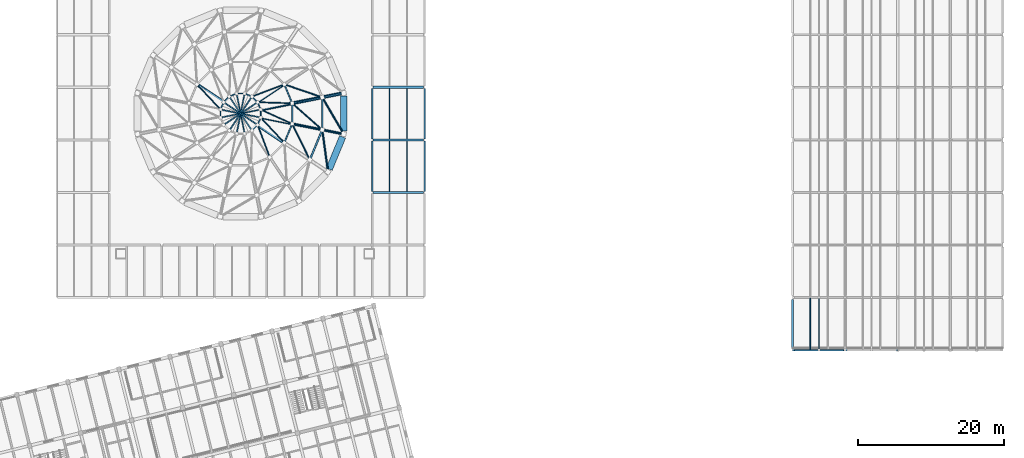
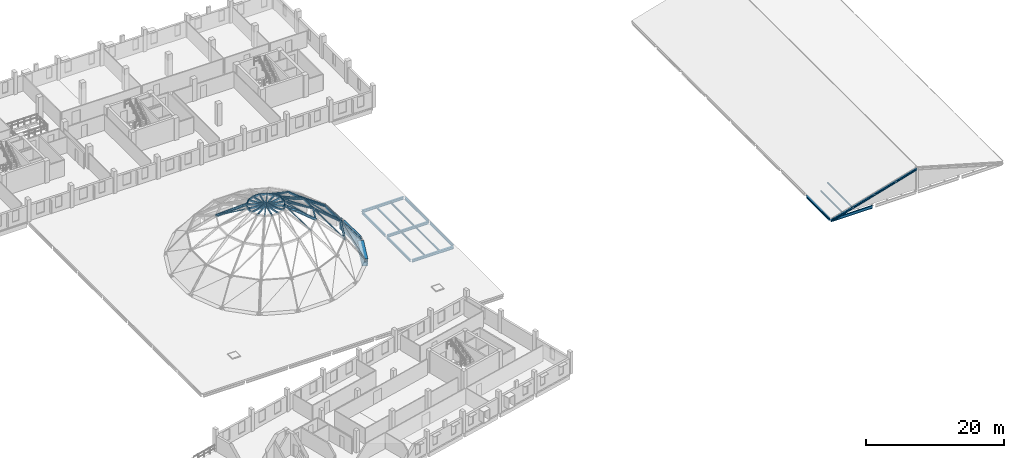
# One storey, part 8 of 32: 40 beams, 22 members.
"""IFC4 building model written with IfcOpenShell, lengths in metres."""

from ifc_helpers import new_model, si_unit, direction, frame, origin, origin_2d, place, context, subcontext, project, spatial, rectangle, hollow_rectangle, hollow_circle, i_section, extrude, material, material_profile, profile_set, type_object, element, save


model = new_model("IFC4")

# Units and contexts
model_context = context("Model", 3, precision=1e-05, world=origin(), true_north=direction((0.0, 1.0)))
body_context = subcontext(model_context, "Body", "Model", "MODEL_VIEW")
ifc_project = project(units=[si_unit("LENGTHUNIT", "METRE"), si_unit("AREAUNIT", "SQUARE_METRE"), si_unit("VOLUMEUNIT", "CUBIC_METRE"), si_unit("PLANEANGLEUNIT", "RADIAN"), si_unit("MASSUNIT", "GRAM", prefix="KILO")], contexts=[model_context])

# Site, building, storey
site_placement = place(None, origin())
site = spatial("IfcSite", under=ifc_project, at=site_placement, CompositionType="ELEMENT")
building_placement = place(site_placement, origin())
building = spatial("IfcBuilding", under=site, at=building_placement, Name="Qiaolan Assembly House", CompositionType="ELEMENT")
storey_placement = place(building_placement, frame((0.0, 0.0, 18.60009765625)))
storey = spatial("IfcBuildingStorey", under=building, at=storey_placement, Name="L04", CompositionType="ELEMENT", Elevation=18.60009765625)

# Beams
ifc_material_1 = material(Name="Steel Q355B", Category="steel")
ifc_material_profile_1 = material_profile(ifc_material_1, hollow_rectangle(XDim=0.179931640625, YDim=0.300048828125, WallThickness=0.010009765625, InnerFilletRadius=0.010009765625, OuterFilletRadius=0.02001953125, at=origin_2d()), Name="RHS 300x180x10")
ifc_profile_set_1 = profile_set([ifc_material_profile_1], Name="Steel Q355B")
beam_type_1 = type_object("IfcBeamType", Name="BM-DOME-RING-RHS300", PredefinedType="BEAM", material=ifc_profile_set_1)
beam_1_placement = place(storey_placement, frame((71.1767578125, 61.67236328125, 9.199951171875), z_axis=(-0.382621493666, 0.923905185928, 0.0), x_axis=(-0.923905185928, -0.382621493666, 0.0)))
element("IfcBeam", 1, at=beam_1_placement, inside=storey, type_object=beam_type_1, Name="DB-03 dome circumferential steel ring T3-1", PredefinedType="BEAM", context=body_context, shape_type="SweptSolid", body=[
    extrude(hollow_rectangle(XDim=0.179931640625, YDim=0.300048828125, WallThickness=0.010009765625, InnerFilletRadius=0.010009765625, OuterFilletRadius=0.02001953125, at=origin_2d()), origin(), (0.0, 0.0, 1.0), 1.25244140625),
])
beam_2_placement = place(storey_placement, frame((70.78466796875, 62.698974609375, 9.199951171875), z_axis=(-0.707106781187, 0.707106781187, 0.0), x_axis=(-0.707106781187, -0.707106781187, 0.0)))
element("IfcBeam", 2, at=beam_2_placement, inside=storey, type_object=beam_type_1, Name="DB-03 dome circumferential steel ring T3-2", PredefinedType="BEAM", context=body_context, shape_type="SweptSolid", body=[
    extrude(hollow_rectangle(XDim=0.179931640625, YDim=0.300048828125, WallThickness=0.010009765625, InnerFilletRadius=0.010009765625, OuterFilletRadius=0.02001953125, at=origin_2d()), origin(), (0.0, 0.0, 1.0), 1.252685546875),
])
beam_3_placement = place(storey_placement, frame((70.029541015625, 63.49755859375, 9.199951171875), z_axis=(-0.923905185928, 0.382621493666, 0.0), x_axis=(-0.382621493666, -0.923905185928, 0.0)))
element("IfcBeam", 3, at=beam_3_placement, inside=storey, type_object=beam_type_1, Name="DB-03 dome circumferential steel ring T3-3", PredefinedType="BEAM", context=body_context, shape_type="SweptSolid", body=[
    extrude(hollow_rectangle(XDim=0.179931640625, YDim=0.300048828125, WallThickness=0.010009765625, InnerFilletRadius=0.010009765625, OuterFilletRadius=0.02001953125, at=origin_2d()), origin(), (0.0, 0.0, 1.0), 1.25244140625),
])
beam_4_placement = place(storey_placement, frame((69.0263671875, 63.9462890625, 9.199951171875), z_axis=(-1.0, 0.0, 0.0), x_axis=(0.0, -1.0, 0.0)))
element("IfcBeam", 4, at=beam_4_placement, inside=storey, type_object=beam_type_1, Name="DB-03 dome circumferential steel ring T3-4", PredefinedType="BEAM", context=body_context, shape_type="SweptSolid", body=[
    extrude(hollow_rectangle(XDim=0.179931640625, YDim=0.300048828125, WallThickness=0.010009765625, InnerFilletRadius=0.010009765625, OuterFilletRadius=0.02001953125, at=origin_2d()), origin(), (0.0, 0.0, 1.0), 1.252685546875),
])
for number, where, z_axis, x_axis, name in (
    (5, (67.927734375, 63.976806640625, 9.199951171875), (-0.923905185928, -0.382621493666, 0.0), (0.382621493666, -0.923905185928, 0.0), "DB-03 dome circumferential steel ring T3-5"),
    (6, (66.90087890625, 63.584716796875, 9.199951171875), (-0.707009309718, -0.707204239221, 0.0), (0.707204239221, -0.707009309718, 0.0), "DB-03 dome circumferential steel ring T3-6"),
    (7, (66.1025390625, 62.82958984375, 9.199951171875), (-0.382621493666, -0.923905185928, 0.0), (0.923905185928, -0.382621493666, 0.0), "DB-03 dome circumferential steel ring T3-7"),
    (8, (65.65380859375, 61.826171875, 9.199951171875), (0.0, -1.0, 0.0), (1.0, 0.0, 0.0), "DB-03 dome circumferential steel ring T3-8"),
    (9, (69.89892578125, 58.8154296875, 9.199951171875), (0.707204239221, 0.707009309718, 0.0), (-0.707009309718, 0.707204239221, 0.0), "DB-03 dome circumferential steel ring T3-14"),
):
    element("IfcBeam", number, at=place(storey_placement, frame(where, z_axis=z_axis, x_axis=x_axis)), inside=storey, type_object=beam_type_1, Name=name, PredefinedType="BEAM", context=body_context, shape_type="SweptSolid", body=[
        extrude(hollow_rectangle(XDim=0.179931640625, YDim=0.300048828125, WallThickness=0.010009765625, InnerFilletRadius=0.010009765625, OuterFilletRadius=0.02001953125, at=origin_2d()), origin(), (0.0, 0.0, 1.0), 1.25244140625),
    ])
beam_5_placement = place(storey_placement, frame((70.697509765625, 59.570556640625, 9.199951171875), z_axis=(0.382690409234, 0.923876642567, 0.0), x_axis=(-0.923876642567, 0.382690409234, 0.0)))
element("IfcBeam", 10, at=beam_5_placement, inside=storey, type_object=beam_type_1, Name="DB-03 dome circumferential steel ring T3-15", PredefinedType="BEAM", context=body_context, shape_type="SweptSolid", body=[
    extrude(hollow_rectangle(XDim=0.179931640625, YDim=0.300048828125, WallThickness=0.010009765625, InnerFilletRadius=0.010009765625, OuterFilletRadius=0.02001953125, at=origin_2d()), origin(), (0.0, 0.0, 1.0), 1.252197265625),
])
beam_6_placement = place(storey_placement, frame((71.146240234375, 60.57373046875, 9.199951171875), z_axis=(0.0, 1.0, 0.0), x_axis=(-1.0, 0.0, 0.0)))
element("IfcBeam", 11, at=beam_6_placement, inside=storey, type_object=beam_type_1, Name="DB-03 dome circumferential steel ring T3-16", PredefinedType="BEAM", context=body_context, shape_type="SweptSolid", body=[
    extrude(hollow_rectangle(XDim=0.179931640625, YDim=0.300048828125, WallThickness=0.010009765625, InnerFilletRadius=0.010009765625, OuterFilletRadius=0.02001953125, at=origin_2d()), origin(), (0.0, 0.0, 1.0), 1.25244140625),
])
beam_7_placement = place(storey_placement, frame((71.224609375, 61.761962890625, 9.199951171875), z_axis=(-0.980782305984, -0.195105274837, 0.0), x_axis=(0.195105274837, -0.980782305984, 0.0)))
element("IfcBeam", 12, at=beam_7_placement, inside=storey, type_object=beam_type_1, Name="DB-03 dome oculus crown compression tie 1", PredefinedType="BEAM", context=body_context, shape_type="SweptSolid", body=[
    extrude(hollow_rectangle(XDim=0.179931640625, YDim=0.300048828125, WallThickness=0.010009765625, InnerFilletRadius=0.010009765625, OuterFilletRadius=0.02001953125, at=origin_2d()), origin(), (0.0, 0.0, 1.0), 5.759765625),
])
for number, where, z_axis, x_axis, name in (
    (13, (70.794677734375, 62.800048828125, 9.199951171875), (-0.831462961962, -0.555580185829, 0.0), (0.555580185829, -0.831462961962, 0.0), "DB-03 dome oculus crown compression tie 2"),
    (14, (70.0, 63.5947265625, 9.199951171875), (-0.55555088287, -0.831482541334, 0.0), (0.831482541334, -0.55555088287, 0.0), "DB-03 dome oculus crown compression tie 3"),
    (15, (68.9619140625, 64.024658203125, 9.199951171875), (-0.195097164255, -0.980783919372, 0.0), (0.980783919372, -0.195097164255, 0.0), "DB-03 dome oculus crown compression tie 4"),
    (16, (67.838134765625, 64.024658203125, 9.199951171875), (0.195097164255, -0.980783919372, 0.0), (0.980783919372, 0.195097164255, 0.0), "DB-03 dome oculus crown compression tie 5"),
    (17, (66.800048828125, 63.5947265625, 9.199951171875), (0.55555088287, -0.831482541334, 0.0), (0.831482541334, 0.55555088287, 0.0), "DB-03 dome oculus crown compression tie 6"),
    (18, (66.00537109375, 62.800048828125, 9.199951171875), (0.831462961962, -0.555580185829, 0.0), (0.555580185829, 0.831462961962, 0.0), "DB-03 dome oculus crown compression tie 7"),
):
    element("IfcBeam", number, at=place(storey_placement, frame(where, z_axis=z_axis, x_axis=x_axis)), inside=storey, type_object=beam_type_1, Name=name, PredefinedType="BEAM", context=body_context, shape_type="SweptSolid", body=[
        extrude(hollow_rectangle(XDim=0.179931640625, YDim=0.300048828125, WallThickness=0.010009765625, InnerFilletRadius=0.010009765625, OuterFilletRadius=0.02001953125, at=origin_2d()), origin(), (0.0, 0.0, 1.0), 5.760009765625),
    ])
beam_8_placement = place(storey_placement, frame((65.575439453125, 61.761962890625, 9.199951171875), z_axis=(0.980782305984, -0.195105274837, 0.0), x_axis=(0.195105274837, 0.980782305984, 0.0)))
element("IfcBeam", 19, at=beam_8_placement, inside=storey, type_object=beam_type_1, Name="DB-03 dome oculus crown compression tie 8", PredefinedType="BEAM", context=body_context, shape_type="SweptSolid", body=[
    extrude(hollow_rectangle(XDim=0.179931640625, YDim=0.300048828125, WallThickness=0.010009765625, InnerFilletRadius=0.010009765625, OuterFilletRadius=0.02001953125, at=origin_2d()), origin(), (0.0, 0.0, 1.0), 5.759765625),
])
ifc_material_profile_2 = material_profile(ifc_material_1, hollow_rectangle(XDim=0.199951171875, YDim=0.35009765625, WallThickness=0.010009765625, InnerFilletRadius=0.010009765625, OuterFilletRadius=0.02001953125, at=origin_2d()), Name="RHS 350x200x10")
ifc_profile_set_2 = profile_set([ifc_material_profile_2], Name="Steel Q355B")
beam_type_2 = type_object("IfcBeamType", Name="BM-DOME-RING-RHS350", PredefinedType="BEAM", material=ifc_profile_set_2)
for number, where, z_axis, x_axis, name in (
    (20, (75.4921875, 62.53076171875, 7.0), (-0.382676162256, 0.923882543856, 0.0), (-0.923882543856, -0.382676162256, 0.0), "DB-02 dome circumferential steel ring T2-1"),
    (21, (74.35595703125, 57.1259765625, 7.0), (0.382676162256, 0.923882543856, 0.0), (-0.923882543856, 0.382676162256, 0.0), "DB-02 dome circumferential steel ring T2-15"),
    (22, (75.461669921875, 59.71533203125, 7.0), (0.0, 1.0, 0.0), (-1.0, 0.0, 0.0), "DB-02 dome circumferential steel ring T2-16"),
):
    element("IfcBeam", number, at=place(storey_placement, frame(where, z_axis=z_axis, x_axis=x_axis)), inside=storey, type_object=beam_type_2, Name=name, PredefinedType="BEAM", context=body_context, shape_type="SweptSolid", body=[
        extrude(hollow_rectangle(XDim=0.199951171875, YDim=0.35009765625, WallThickness=0.010009765625, InnerFilletRadius=0.010009765625, OuterFilletRadius=0.02001953125, at=origin_2d()), origin(), (0.0, 0.0, 1.0), 2.96923828125),
    ])
ifc_material_profile_3 = material_profile(ifc_material_1, hollow_rectangle(XDim=0.25, YDim=0.39990234375, WallThickness=0.011962890625, InnerFilletRadius=0.011962890625, OuterFilletRadius=0.02392578125, at=origin_2d()), Name="RHS 400x250x12")
ifc_profile_set_3 = profile_set([ifc_material_profile_3], Name="Steel Q355B")
beam_type_3 = type_object("IfcBeamType", Name="BM-DOME-RING-RHS400", PredefinedType="BEAM", material=ifc_profile_set_3)
for number, where, z_axis, x_axis, name in (
    (23, (77.84814453125, 54.79248046875, 3.7998046875), (0.382680895379, 0.923880583361, 0.0), (-0.923880583361, 0.382680895379, 0.0), "DB-01 dome circumferential steel ring T1-15"),
    (24, (79.5810546875, 58.89599609375, 3.7998046875), (0.0, 1.0, 0.0), (-1.0, 0.0, 0.0), "DB-01 dome circumferential steel ring T1-16"),
):
    element("IfcBeam", number, at=place(storey_placement, frame(where, z_axis=z_axis, x_axis=x_axis)), inside=storey, type_object=beam_type_3, Name=name, PredefinedType="BEAM", context=body_context, shape_type="SweptSolid", body=[
        extrude(hollow_rectangle(XDim=0.25, YDim=0.39990234375, WallThickness=0.011962890625, InnerFilletRadius=0.011962890625, OuterFilletRadius=0.02392578125, at=origin_2d()), origin(), (0.0, 0.0, 1.0), 4.608154296875),
    ])
ifc_material_2 = material(Name="Concrete C50/60", Category="concrete")
ifc_material_profile_4 = material_profile(ifc_material_2, rectangle(XDim=0.89990234375, YDim=1.199951171875, at=origin_2d()), Name="RCB 900x1200")
ifc_profile_set_4 = profile_set([ifc_material_profile_4], Name="Concrete C50/60")
beam_type_4 = type_object("IfcBeamType", Name="BM-RING-900x1200", PredefinedType="BEAM", material=ifc_profile_set_4)
for number, where, z_axis, x_axis, name in (
    (25, (80.531982421875, 53.583251953125, -0.60009765625), (0.38268500057, 0.923878882938, 0.0), (-0.923878882938, 0.38268500057, 0.0), "RB-01 beam BM-DOME-THRUST-RING-14"),
    (26, (82.523193359375, 58.8056640625, -0.60009765625), (0.0, 1.0, 0.0), (-1.0, 0.0, 0.0), "RB-01 beam BM-DOME-THRUST-RING-15"),
):
    element("IfcBeam", number, at=place(storey_placement, frame(where, z_axis=z_axis, x_axis=x_axis)), inside=storey, type_object=beam_type_4, Name=name, PredefinedType="BEAM", context=body_context, shape_type="SweptSolid", body=[
        extrude(rectangle(XDim=0.89990234375, YDim=1.199951171875, at=origin_2d()), origin(), (0.0, 0.0, 1.0), 4.78857421875),
    ])
ifc_material_profile_5 = material_profile(ifc_material_1, i_section(OverallWidth=0.300048828125, OverallDepth=0.389892578125, WebThickness=0.010009765625, FlangeThickness=0.01611328125, FilletRadius=0.01806640625, at=origin_2d()), Name="HM 390x300x10x16")
ifc_profile_set_5 = profile_set([ifc_material_profile_5], Name="Steel Q355B")
beam_type_5 = type_object("IfcBeamType", Name="BM-STL-HM390", PredefinedType="BEAM", material=ifc_profile_set_5)
beam_9_placement = place(storey_placement, frame((144.0, 29.06494140625, -0.295166015625), z_axis=(0.0, 1.0, 0.0), x_axis=(-1.0, 0.0, 0.0)))
element("IfcBeam", 27, at=beam_9_placement, inside=storey, type_object=beam_type_5, Name="SB-08 beam BMY-LBTIE-L04-00-00", PredefinedType="BEAM", context=body_context, shape_type="SweptSolid", body=[
    extrude(i_section(OverallWidth=0.300048828125, OverallDepth=0.389892578125, WebThickness=0.010009765625, FlangeThickness=0.01611328125, FilletRadius=0.01806640625, at=origin_2d()), origin(), (0.0, 0.0, 1.0), 6.670166015625),
])
ifc_material_profile_6 = material_profile(ifc_material_1, i_section(OverallWidth=0.300048828125, OverallDepth=0.43994140625, WebThickness=0.010986328125, FlangeThickness=0.01806640625, FilletRadius=0.02001953125, at=origin_2d()), Name="HM 440x300x11x18")
ifc_profile_set_6 = profile_set([ifc_material_profile_6], Name="Steel Q355B")
beam_type_6 = type_object("IfcBeamType", Name="BM-STL-HM440", PredefinedType="BEAM", material=ifc_profile_set_6)
for number, where, z_axis, x_axis, name in (
    (28, (86.544921875, 50.39990234375, -0.465087890625), (1.0, 0.0, 0.0), (0.0, 1.0, 0.0), "SB-06 beam BMX-HLCR-L04-06-02"),
    (29, (86.544921875, 57.60009765625, -0.465087890625), (1.0, 0.0, 0.0), (0.0, 1.0, 0.0), "SB-06 beam BMX-HLCR-L04-06-03"),
    (30, (86.544921875, 64.800048828125, -0.465087890625), (1.0, 0.0, 0.0), (0.0, 1.0, 0.0), "SB-06 beam BMX-HLCR-L04-06-04"),
):
    element("IfcBeam", number, at=place(storey_placement, frame(where, z_axis=z_axis, x_axis=x_axis)), inside=storey, type_object=beam_type_6, Name=name, PredefinedType="BEAM", context=body_context, shape_type="SweptSolid", body=[
        extrude(i_section(OverallWidth=0.300048828125, OverallDepth=0.43994140625, WebThickness=0.010986328125, FlangeThickness=0.01806640625, FilletRadius=0.02001953125, at=origin_2d()), origin(), (0.0, 0.0, 1.0), 6.91015625),
    ])
ifc_material_profile_7 = material_profile(ifc_material_1, i_section(OverallWidth=0.199951171875, OverallDepth=0.449951171875, WebThickness=0.009033203125, FlangeThickness=0.013916015625, FilletRadius=0.01611328125, at=origin_2d()), Name="HN 450x200x9x14")
ifc_profile_set_7 = profile_set([ifc_material_profile_7], Name="Steel Q355B")
beam_type_7 = type_object("IfcBeamType", Name="BM-STL-HN450", PredefinedType="BEAM", material=ifc_profile_set_7)
beam_10_placement = place(storey_placement, frame((86.39990234375, 50.544921875, -0.47021484375), z_axis=(0.0, 1.0, 0.0), x_axis=(-1.0, 0.0, 0.0)))
element("IfcBeam", 31, at=beam_10_placement, inside=storey, type_object=beam_type_7, Name="SB-07 beam BMY-HLCR-L04-06-02", PredefinedType="BEAM", context=body_context, shape_type="SweptSolid", body=[
    extrude(i_section(OverallWidth=0.199951171875, OverallDepth=0.449951171875, WebThickness=0.009033203125, FlangeThickness=0.013916015625, FilletRadius=0.01611328125, at=origin_2d()), origin(), (0.0, 0.0, 1.0), 6.91015625),
])
beam_11_placement = place(storey_placement, frame((86.39990234375, 57.7451171875, -0.47021484375), z_axis=(0.0, 1.0, 0.0), x_axis=(-1.0, 0.0, 0.0)))
element("IfcBeam", 32, at=beam_11_placement, inside=storey, type_object=beam_type_7, Name="SB-07 beam BMY-HLCR-L04-06-03", PredefinedType="BEAM", context=body_context, shape_type="SweptSolid", body=[
    extrude(i_section(OverallWidth=0.199951171875, OverallDepth=0.449951171875, WebThickness=0.009033203125, FlangeThickness=0.013916015625, FilletRadius=0.01611328125, at=origin_2d()), origin(), (0.0, 0.0, 1.0), 6.909912109375),
])
beam_12_placement = place(storey_placement, frame((93.60009765625, 50.544921875, -0.47021484375), z_axis=(0.0, 1.0, 0.0), x_axis=(-1.0, 0.0, 0.0)))
element("IfcBeam", 33, at=beam_12_placement, inside=storey, type_object=beam_type_7, Name="SB-07 beam BMY-HLCR-L04-07-02", PredefinedType="BEAM", context=body_context, shape_type="SweptSolid", body=[
    extrude(i_section(OverallWidth=0.199951171875, OverallDepth=0.449951171875, WebThickness=0.009033203125, FlangeThickness=0.013916015625, FilletRadius=0.01611328125, at=origin_2d()), origin(), (0.0, 0.0, 1.0), 6.91015625),
])
beam_13_placement = place(storey_placement, frame((93.60009765625, 57.7451171875, -0.47021484375), z_axis=(0.0, 1.0, 0.0), x_axis=(-1.0, 0.0, 0.0)))
element("IfcBeam", 34, at=beam_13_placement, inside=storey, type_object=beam_type_7, Name="SB-07 beam BMY-HLCR-L04-07-03", PredefinedType="BEAM", context=body_context, shape_type="SweptSolid", body=[
    extrude(i_section(OverallWidth=0.199951171875, OverallDepth=0.449951171875, WebThickness=0.009033203125, FlangeThickness=0.013916015625, FilletRadius=0.01611328125, at=origin_2d()), origin(), (0.0, 0.0, 1.0), 6.909912109375),
])
ifc_material_profile_8 = material_profile(ifc_material_1, i_section(OverallWidth=0.199951171875, OverallDepth=0.5, WebThickness=0.010009765625, FlangeThickness=0.01611328125, FilletRadius=0.01806640625, at=origin_2d()), Name="HN 500x200x10x16")
ifc_profile_set_8 = profile_set([ifc_material_profile_8], Name="Steel Q355B")
beam_type_8 = type_object("IfcBeamType", Name="BM-STL-HN500", PredefinedType="BEAM", material=ifc_profile_set_8)
beam_14_placement = place(storey_placement, frame((144.264892578125, 28.800048828125, -0.35009765625), z_axis=(1.0, 0.0, 0.0), x_axis=(0.0, 1.0, 0.0)))
element("IfcBeam", 35, at=beam_14_placement, inside=storey, type_object=beam_type_8, Name="SB-05 beam BMX-LBTIE-L04-00-00", PredefinedType="BEAM", context=body_context, shape_type="SweptSolid", body=[
    extrude(i_section(OverallWidth=0.199951171875, OverallDepth=0.5, WebThickness=0.010009765625, FlangeThickness=0.01611328125, FilletRadius=0.01806640625, at=origin_2d()), origin(), (0.0, 0.0, 1.0), 6.670166015625),
])
ifc_material_profile_9 = material_profile(ifc_material_1, i_section(OverallWidth=0.125, OverallDepth=0.25, WebThickness=0.006103515625, FlangeThickness=0.009033203125, FilletRadius=0.011962890625, at=origin_2d()), Name="HN 250x125x6x9")
ifc_profile_set_9 = profile_set([ifc_material_profile_9], Name="Steel Q355B")
beam_type_9 = type_object("IfcBeamType", Name="JST-STL-HN250", PredefinedType="JOIST", material=ifc_profile_set_9)
beam_15_placement = place(storey_placement, frame((146.39990234375, 28.89404296875, -0.22509765625), z_axis=(0.0, 1.0, 0.0), x_axis=(-1.0, 0.0, 0.0)))
element("IfcBeam", 36, at=beam_15_placement, inside=storey, type_object=beam_type_9, Name="SJ-03 beam JST-LBTIE-L04-00-00-1", PredefinedType="JOIST", context=body_context, shape_type="SweptSolid", body=[
    extrude(i_section(OverallWidth=0.125, OverallDepth=0.25, WebThickness=0.006103515625, FlangeThickness=0.009033203125, FilletRadius=0.011962890625, at=origin_2d()), origin(), (0.0, 0.0, 1.0), 7.011962890625),
])
ifc_material_profile_10 = material_profile(ifc_material_1, i_section(OverallWidth=0.14990234375, OverallDepth=0.300048828125, WebThickness=0.006591796875, FlangeThickness=0.009033203125, FilletRadius=0.012939453125, at=origin_2d()), Name="HN 300x150x6.5x9")
ifc_profile_set_10 = profile_set([ifc_material_profile_10], Name="Steel Q355B")
beam_type_10 = type_object("IfcBeamType", Name="JST-STL-HN300", PredefinedType="JOIST", material=ifc_profile_set_10)
for number, where, z_axis, x_axis, name in (
    (37, (88.800048828125, 50.5439453125, -0.39501953125), (0.0, 1.0, 0.0), (-1.0, 0.0, 0.0), "SJ-02 beam JST-HLCR-L04-06-02-1"),
    (38, (91.199951171875, 50.5439453125, -0.39501953125), (0.0, 1.0, 0.0), (-1.0, 0.0, 0.0), "SJ-02 beam JST-HLCR-L04-06-02-2"),
    (39, (88.800048828125, 57.743896484375, -0.39501953125), (0.0, 1.0, 0.0), (-1.0, 0.0, 0.0), "SJ-02 beam JST-HLCR-L04-06-03-1"),
    (40, (91.199951171875, 57.743896484375, -0.39501953125), (0.0, 1.0, 0.0), (-1.0, 0.0, 0.0), "SJ-02 beam JST-HLCR-L04-06-03-2"),
):
    element("IfcBeam", number, at=place(storey_placement, frame(where, z_axis=z_axis, x_axis=x_axis)), inside=storey, type_object=beam_type_10, Name=name, PredefinedType="JOIST", context=body_context, shape_type="SweptSolid", body=[
        extrude(i_section(OverallWidth=0.14990234375, OverallDepth=0.300048828125, WebThickness=0.006591796875, FlangeThickness=0.009033203125, FilletRadius=0.012939453125, at=origin_2d()), origin(), (0.0, 0.0, 1.0), 6.912109375),
    ])

# Members
ifc_material_profile_11 = material_profile(ifc_material_1, hollow_circle(Radius=0.096923828125, WallThickness=0.008056640625, at=origin_2d()), Name="CHS 194x8")
ifc_profile_set_11 = profile_set([ifc_material_profile_11], Name="Steel Q355B")
member_type_1 = type_object("IfcMemberType", Name="MBR-BRACE-DOME-CHS194", PredefinedType="BRACE", material=ifc_profile_set_11)
member_1_placement = place(storey_placement, frame((75.5341796875, 62.602294921875, 6.96630859375), z_axis=(-0.906471136864, 0.028895667026, 0.421277958668), x_axis=(-0.031860911921, -0.999492312272, 0.0)))
element("IfcMember", 41, at=member_1_placement, inside=storey, type_object=member_type_1, Name="BR-04 dome wind-uplift brace T2-1", PredefinedType="BRACE", context=body_context, shape_type="SweptSolid", body=[
    extrude(hollow_circle(Radius=0.096923828125, WallThickness=0.008056640625, at=origin_2d()), origin(), (0.0, 0.0, 1.0), 5.382080078125),
])
for number, where, z_axis, x_axis, name in (
    (42, (74.454345703125, 65.225830078125, 6.96630859375), (-0.848515423503, -0.320217608902, 0.421286433471), (0.353079557184, -0.93559330176, 0.0), "BR-04 dome wind-uplift brace T2-2"),
    (43, (62.36376953125, 65.2529296875, 6.96630859375), (0.620530467421, -0.661403188464, 0.421292963735), (0.729281337166, 0.684213951378, 0.0), "BR-04 dome wind-uplift brace T2-7"),
):
    element("IfcMember", number, at=place(storey_placement, frame(where, z_axis=z_axis, x_axis=x_axis)), inside=storey, type_object=member_type_1, Name=name, PredefinedType="BRACE", context=body_context, shape_type="SweptSolid", body=[
        extrude(hollow_circle(Radius=0.096923828125, WallThickness=0.008056640625, at=origin_2d()), origin(), (0.0, 0.0, 1.0), 5.3818359375),
    ])
for number, where, z_axis, x_axis, name in (
    (44, (72.42578125, 55.1455078125, 6.96630859375), (-0.320205283715, 0.848528125396, 0.421270218141), (-0.935599536869, -0.353063034896, 0.0), "BR-04 dome wind-uplift brace T2-14"),
    (45, (74.436279296875, 57.14697265625, 6.96630859375), (-0.620558362303, 0.661384570349, 0.421281104584), (-0.729256378684, -0.684240552839, 0.0), "BR-04 dome wind-uplift brace T2-15"),
    (46, (75.52783203125, 59.765380859375, 6.96630859375), (-0.826406016526, 0.373601929526, 0.421277455016), (-0.411940485362, -0.911210753075, 0.0), "BR-04 dome wind-uplift brace T2-16"),
):
    element("IfcMember", number, at=place(storey_placement, frame(where, z_axis=z_axis, x_axis=x_axis)), inside=storey, type_object=member_type_1, Name=name, PredefinedType="BRACE", context=body_context, shape_type="SweptSolid", body=[
        extrude(hollow_circle(Radius=0.096923828125, WallThickness=0.008056640625, at=origin_2d()), origin(), (0.0, 0.0, 1.0), 5.382080078125),
    ])
ifc_material_profile_12 = material_profile(ifc_material_1, hollow_circle(Radius=0.109619140625, WallThickness=0.008056640625, at=origin_2d()), Name="CHS 219.1x8")
ifc_profile_set_12 = profile_set([ifc_material_profile_12], Name="Steel Q355B")
member_type_2 = type_object("IfcMemberType", Name="MBR-BRACE-DOME-CHS219", PredefinedType="BRACE", material=ifc_profile_set_12)
member_2_placement = place(storey_placement, frame((79.646240234375, 63.401611328125, 3.759521484375), z_axis=(-0.817446945756, 0.27951580952, 0.503638166845), x_axis=(-0.323545613662, -0.946212574362, 0.0)))
element("IfcMember", 47, at=member_2_placement, inside=storey, type_object=member_type_2, Name="BR-02 dome wind-uplift brace T1-1", PredefinedType="BRACE", context=body_context, shape_type="SweptSolid", body=[
    extrude(hollow_circle(Radius=0.109619140625, WallThickness=0.008056640625, at=origin_2d()), origin(), (0.0, 0.0, 1.0), 6.51416015625),
])
for number, where, z_axis, x_axis, name in (
    (48, (77.9091796875, 54.804443359375, 3.759521484375), (-0.38039583961, 0.775670216002, 0.503621605191), (-0.897845069356, -0.440311516353, 0.0), "BR-02 dome wind-uplift brace T1-15"),
    (49, (79.6328125, 58.93017578125, 3.759521484375), (-0.648249462946, 0.571083154094, 0.503623534894), (-0.661034613891, -0.750355408615, 0.0), "BR-02 dome wind-uplift brace T1-16"),
):
    element("IfcMember", number, at=place(storey_placement, frame(where, z_axis=z_axis, x_axis=x_axis)), inside=storey, type_object=member_type_2, Name=name, PredefinedType="BRACE", context=body_context, shape_type="SweptSolid", body=[
        extrude(hollow_circle(Radius=0.109619140625, WallThickness=0.008056640625, at=origin_2d()), origin(), (0.0, 0.0, 1.0), 6.514404296875),
    ])
ifc_material_profile_13 = material_profile(ifc_material_1, hollow_circle(Radius=0.136474609375, WallThickness=0.010009765625, at=origin_2d()), Name="CHS 273x10")
ifc_profile_set_13 = profile_set([ifc_material_profile_13], Name="Steel Q355B")
member_type_3 = type_object("IfcMemberType", Name="MBR-BRACE-DOME-CHS273", PredefinedType="BRACE", material=ifc_profile_set_13)
for number, where, z_axis, x_axis, name in (
    (50, (80.38232421875, 53.13330078125, -0.043701171875), (-0.113850545124, 0.830011624756, 0.546002523937), (-0.990723253216, -0.135894943013, 0.0), "BR-01 dome wind-uplift brace T0-15"),
    (51, (82.55712890625, 58.332763671875, -0.043701171875), (-0.422795515299, 0.723268733326, 0.546009424494), (-0.863316823074, -0.504662325716, 0.0), "BR-01 dome wind-uplift brace T0-16"),
):
    element("IfcMember", number, at=place(storey_placement, frame(where, z_axis=z_axis, x_axis=x_axis)), inside=storey, type_object=member_type_3, Name=name, PredefinedType="BRACE", context=body_context, shape_type="SweptSolid", body=[
        extrude(hollow_circle(Radius=0.136474609375, WallThickness=0.010009765625, at=origin_2d()), origin(), (0.0, 0.0, 1.0), 7.119384765625),
    ])
ifc_material_profile_14 = material_profile(ifc_material_1, hollow_circle(Radius=0.16259765625, WallThickness=0.010009765625, at=origin_2d()), Name="CHS 325x10")
ifc_profile_set_14 = profile_set([ifc_material_profile_14], Name="Steel Q355B")
member_type_4 = type_object("IfcMemberType", Name="MBR-DOME-RIB-CHS325", PredefinedType="CHORD", material=ifc_profile_set_14)
member_3_placement = place(storey_placement, frame((74.4609375, 65.249755859375, 6.955078125), z_axis=(-0.743671628524, -0.496925636092, 0.447233072483), x_axis=(0.555585800395, -0.831459210304, 0.0)))
element("IfcMember", 52, at=member_3_placement, inside=storey, type_object=member_type_4, Name="DR-03 secondary dome radial rib bay 1", PredefinedType="CHORD", context=body_context, shape_type="SweptSolid", body=[
    extrude(hollow_circle(Radius=0.16259765625, WallThickness=0.010009765625, at=origin_2d()), origin(), (0.0, 0.0, 1.0), 5.119384765625),
])
member_4_placement = place(storey_placement, frame((75.54931640625, 59.77783203125, 6.955078125), z_axis=(-0.877224175345, 0.174500557659, 0.447244118538), x_axis=(-0.195100883647, -0.980783179505, 0.0)))
element("IfcMember", 53, at=member_4_placement, inside=storey, type_object=member_type_4, Name="DR-03 secondary dome radial rib bay 8", PredefinedType="CHORD", context=body_context, shape_type="SweptSolid", body=[
    extrude(hollow_circle(Radius=0.16259765625, WallThickness=0.010009765625, at=origin_2d()), origin(), (0.0, 0.0, 1.0), 5.119140625),
])
ifc_material_profile_15 = material_profile(ifc_material_1, hollow_circle(Radius=0.177734375, WallThickness=0.011962890625, at=origin_2d()), Name="CHS 355.6x12")
ifc_profile_set_15 = profile_set([ifc_material_profile_15], Name="Steel Q355B")
member_type_5 = type_object("IfcMemberType", Name="MBR-DOME-RIB-CHS355", PredefinedType="CHORD", material=ifc_profile_set_15)
member_5_placement = place(storey_placement, frame((82.6083984375, 58.373779296875, -0.10986328125), z_axis=(-0.607737173659, 0.12088439631, 0.784883743291), x_axis=(-0.195087149438, -0.980785911463, 0.0)))
element("IfcMember", 54, at=member_5_placement, inside=storey, type_object=member_type_5, Name="DR-02 secondary dome radial rib bay 8", PredefinedType="CHORD", context=body_context, shape_type="SweptSolid", body=[
    extrude(hollow_circle(Radius=0.177734375, WallThickness=0.011962890625, at=origin_2d()), origin(), (0.0, 0.0, 1.0), 5.081298828125),
])
member_6_placement = place(storey_placement, frame((79.658935546875, 58.96044921875, 3.7392578125), z_axis=(-0.780146905995, 0.155165125262, 0.606048338805), x_axis=(-0.195071283743, -0.980789067159, 0.0)))
element("IfcMember", 55, at=member_6_placement, inside=storey, type_object=member_type_5, Name="DR-02 secondary dome radial rib bay 8", PredefinedType="CHORD", context=body_context, shape_type="SweptSolid", body=[
    extrude(hollow_circle(Radius=0.177734375, WallThickness=0.011962890625, at=origin_2d()), origin(), (0.0, 0.0, 1.0), 5.480224609375),
])
ifc_material_profile_16 = material_profile(ifc_material_1, hollow_circle(Radius=0.228515625, WallThickness=0.01611328125, at=origin_2d()), Name="CHS 457x16")
ifc_profile_set_16 = profile_set([ifc_material_profile_16], Name="Steel Q355B")
member_type_6 = type_object("IfcMemberType", Name="MBR-DOME-RIB-CHS457", PredefinedType="CHORD", material=ifc_profile_set_16)
member_7_placement = place(storey_placement, frame((82.6083984375, 64.026123046875, -0.10986328125), z_axis=(-0.607737173659, -0.12088439631, 0.784883743291), x_axis=(0.195087149438, -0.980785911463, 0.0)))
element("IfcMember", 56, at=member_7_placement, inside=storey, type_object=member_type_6, Name="DR-01 primary dome radial rib bay 1", PredefinedType="CHORD", context=body_context, shape_type="SweptSolid", body=[
    extrude(hollow_circle(Radius=0.228515625, WallThickness=0.01611328125, at=origin_2d()), origin(), (0.0, 0.0, 1.0), 5.081298828125),
])
member_8_placement = place(storey_placement, frame((79.658935546875, 63.439453125, 3.7392578125), z_axis=(-0.780146905995, -0.155165125262, 0.606048338805), x_axis=(0.195071283743, -0.980789067159, 0.0)))
element("IfcMember", 57, at=member_8_placement, inside=storey, type_object=member_type_6, Name="DR-01 primary dome radial rib bay 1", PredefinedType="CHORD", context=body_context, shape_type="SweptSolid", body=[
    extrude(hollow_circle(Radius=0.228515625, WallThickness=0.01611328125, at=origin_2d()), origin(), (0.0, 0.0, 1.0), 5.480224609375),
])
member_9_placement = place(storey_placement, frame((75.54931640625, 62.6220703125, 6.955078125), z_axis=(-0.877224175345, -0.174500557659, 0.447244118538), x_axis=(0.195100883647, -0.980783179505, 0.0)))
element("IfcMember", 58, at=member_9_placement, inside=storey, type_object=member_type_6, Name="DR-01 primary dome radial rib bay 1", PredefinedType="CHORD", context=body_context, shape_type="SweptSolid", body=[
    extrude(hollow_circle(Radius=0.228515625, WallThickness=0.01611328125, at=origin_2d()), origin(), (0.0, 0.0, 1.0), 5.119140625),
])
for number, where, z_axis, x_axis, name in (
    (59, (62.339111328125, 65.249755859375, 6.955078125), (0.743671628524, -0.496925636092, 0.447233072483), (0.555585800395, 0.831459210304, 0.0), "DR-01 primary dome radial rib bay 4"),
    (60, (74.4609375, 57.150146484375, 6.955078125), (-0.743671628524, 0.496925636092, 0.447233072483), (-0.555585800395, -0.831459210304, 0.0), "DR-01 primary dome radial rib bay 8"),
):
    element("IfcMember", number, at=place(storey_placement, frame(where, z_axis=z_axis, x_axis=x_axis)), inside=storey, type_object=member_type_6, Name=name, PredefinedType="CHORD", context=body_context, shape_type="SweptSolid", body=[
        extrude(hollow_circle(Radius=0.228515625, WallThickness=0.01611328125, at=origin_2d()), origin(), (0.0, 0.0, 1.0), 5.119384765625),
    ])
ifc_material_profile_17 = material_profile(ifc_material_1, i_section(OverallWidth=0.25, OverallDepth=0.340087890625, WebThickness=0.009033203125, FlangeThickness=0.013916015625, FilletRadius=0.01611328125, at=origin_2d()), Name="HM 340x250x9x14-RF")
ifc_profile_set_17 = profile_set([ifc_material_profile_17], Name="Steel Q355B")
member_type_7 = type_object("IfcMemberType", Name="MBR-HIP-RAFTER-HM340", PredefinedType="RAFTER", material=ifc_profile_set_17)
member_10_placement = place(storey_placement, frame((144.0, 28.800048828125, -0.422119140625), z_axis=(0.960375895513, 0.0, 0.278707982156), x_axis=(0.0, 1.0, 0.0)))
element("IfcMember", 61, at=member_10_placement, inside=storey, type_object=member_type_7, Name="RF-01 library pitched rafter W-28", PredefinedType="RAFTER", context=body_context, shape_type="SweptSolid", body=[
    extrude(i_section(OverallWidth=0.25, OverallDepth=0.340087890625, WebThickness=0.009033203125, FlangeThickness=0.013916015625, FilletRadius=0.01611328125, at=origin_2d()), origin(), (0.0, 0.0, 1.0), 14.994140625),
])
ifc_material_profile_18 = material_profile(ifc_material_1, hollow_rectangle(XDim=0.14990234375, YDim=0.25, WallThickness=0.008056640625, InnerFilletRadius=0.008056640625, OuterFilletRadius=0.01611328125, at=origin_2d()), Name="RHS 250x150x8")
ifc_profile_set_18 = profile_set([ifc_material_profile_18], Name="Steel Q355B")
member_type_8 = type_object("IfcMemberType", Name="MBR-PURLIN-RHS250", PredefinedType="PURLIN", material=ifc_profile_set_18)
member_11_placement = place(storey_placement, frame((147.60009765625, 28.800048828125, 0.7001953125), z_axis=(0.0, 1.0, 0.0), x_axis=(-1.0, 0.0, 0.0)))
element("IfcMember", 62, at=member_11_placement, inside=storey, type_object=member_type_8, Name="PR-01 library roof purlin W", PredefinedType="PURLIN", context=body_context, shape_type="SweptSolid", body=[
    extrude(hollow_rectangle(XDim=0.14990234375, YDim=0.25, WallThickness=0.008056640625, InnerFilletRadius=0.008056640625, OuterFilletRadius=0.01611328125, at=origin_2d()), origin(), (0.0, 0.0, 1.0), 7.199951171875),
])

save(model, "model.ifc")
